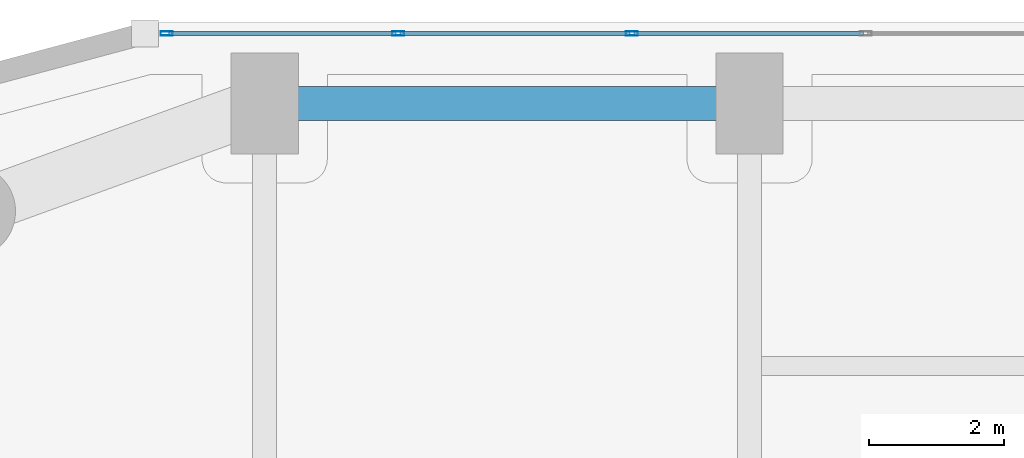
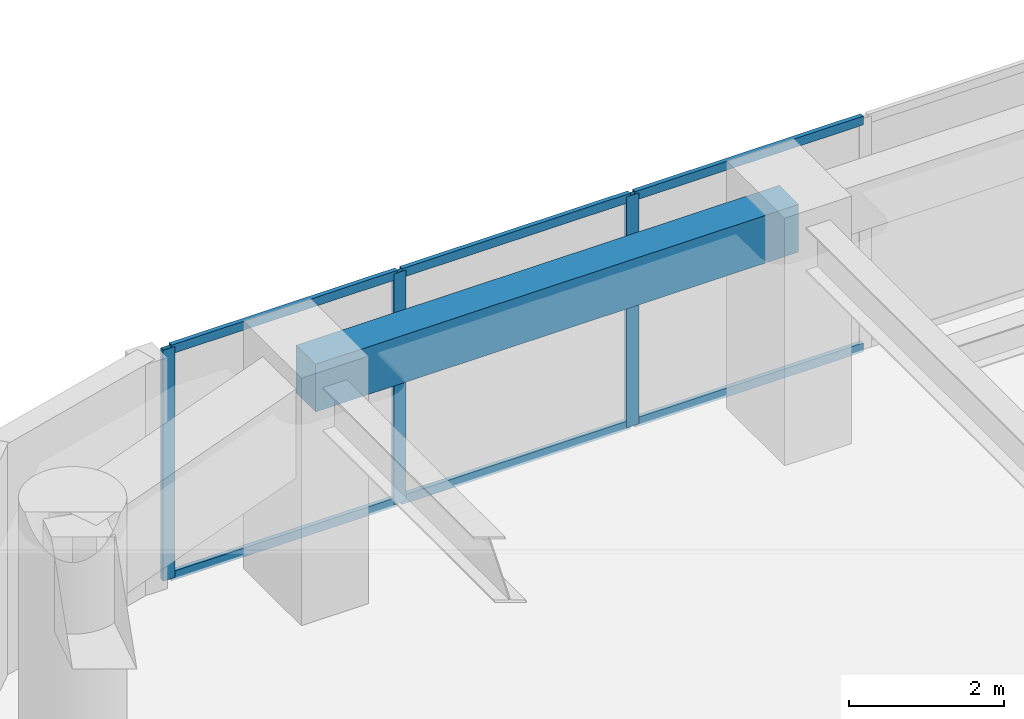
# One storey, part 16 of 29: 9 members, 1 beam, 1 element without a shape of its own.
"""IFC4 building model written with IfcOpenShell, lengths in metres."""

from ifc_helpers import new_model, si_unit, direction, frame, origin, origin_2d, place, context, subcontext, project, spatial, rectangle, hollow_rectangle, extrude, material, layer, layer_set, material_profile, profile_set, type_object, element, aggregate, save


model = new_model("IFC4")

# Units and contexts
model_context = context("Model", 3, precision=1e-05, world=origin(), true_north=direction((0.0, 1.0)))
body_context = subcontext(model_context, "Body", "Model", "MODEL_VIEW")
ifc_project = project(units=[si_unit("LENGTHUNIT", "METRE"), si_unit("AREAUNIT", "SQUARE_METRE"), si_unit("VOLUMEUNIT", "CUBIC_METRE"), si_unit("PLANEANGLEUNIT", "RADIAN"), si_unit("MASSUNIT", "GRAM", prefix="KILO")], contexts=[model_context])

# Site, building, storey
site_placement = place(None, origin())
site = spatial("IfcSite", under=ifc_project, at=site_placement, CompositionType="ELEMENT")
building_placement = place(site_placement, origin())
building = spatial("IfcBuilding", under=site, at=building_placement, Name="Kiyonajd Concourse Tower", CompositionType="ELEMENT")
storey_placement = place(building_placement, frame((0.0, 0.0, 29.39990234375)))
storey = spatial("IfcBuildingStorey", under=building, at=storey_placement, Name="L08", CompositionType="ELEMENT", Elevation=29.39990234375)

# Beam
ifc_material_1 = material(Name="Precast concrete C50/60", Category="concrete")
ifc_material_profile_1 = material_profile(ifc_material_1, rectangle(XDim=0.5, YDim=0.75, at=origin_2d()), Name="RCBM-500x750")
ifc_profile_set_1 = profile_set([ifc_material_profile_1], Name="Precast concrete C50/60")
beam_type = type_object("IfcBeamType", Name="BM-SPAN-RC", PredefinedType="SPANDREL", material=ifc_profile_set_1)
beam_placement = place(storey_placement, frame((32.39990234375, 61.199951171875, 3.26513671875), z_axis=(-1.0, 0.0, 0.0), x_axis=(0.0, -1.0, 0.0)))
element("IfcBeam", 1, at=beam_placement, inside=storey, type_object=beam_type, Name="L08 Perimeter Bundled Tube Spandrel", PredefinedType="SPANDREL", context=body_context, shape_type="SweptSolid", body=[
    extrude(rectangle(XDim=0.5, YDim=0.75, at=origin_2d()), origin(), (0.0, 0.0, 1.0), 7.199951171875),
])

# Curtain wall, members
ifc_material_2 = material(Name="Thermally Broken Anodised Aluminium", Category="aluminium")
ifc_layer = layer(ifc_material_2, 0.179931640625)
ifc_layer_set = layer_set([ifc_layer], Name="Thermally Broken Anodised Aluminium")
curtain_wall_type = type_object("IfcCurtainWallType", Name="CW-SYS-02", PredefinedType="NOTDEFINED", material=ifc_layer_set)
curtain_wall_placement = place(storey_placement, origin())
curtain_wall = element("IfcCurtainWall", 2, at=curtain_wall_placement, inside=storey, type_object=curtain_wall_type, Name="L08 Unitised Curtain Wall CW2", PredefinedType="NOTDEFINED")
ifc_material_profile_2 = material_profile(ifc_material_2, hollow_rectangle(XDim=0.06494140625, YDim=0.179931640625, WallThickness=0.00390625, at=origin_2d()), Name="MULL-65x180")
ifc_profile_set_2 = profile_set([ifc_material_profile_2], Name="Thermally Broken Anodised Aluminium")
member_type_1 = type_object("IfcMemberType", Name="MB-CW-MULL1", PredefinedType="MULLION", material=ifc_profile_set_2)
member_1_placement = place(storey_placement, frame((23.74365234375, 62.239990234375, 0.0), z_axis=(0.0, 0.0, 1.0), x_axis=(0.0, 1.0, 0.0)))
member_1 = element("IfcMember", 3, at=member_1_placement, type_object=member_type_1, Name="CW2 mullion 1", PredefinedType="MULLION", context=body_context, shape_type="SweptSolid", body=[
    extrude(hollow_rectangle(XDim=0.06494140625, YDim=0.179931640625, WallThickness=0.00390625, at=origin_2d()), origin(), (0.0, 0.0, 1.0), 3.64013671875),
])
member_2_placement = place(storey_placement, frame((27.181884765625, 62.239990234375, 0.0), z_axis=(0.0, 0.0, 1.0), x_axis=(0.0, 1.0, 0.0)))
member_2 = element("IfcMember", 4, at=member_2_placement, type_object=member_type_1, Name="CW2 mullion 2", PredefinedType="MULLION", context=body_context, shape_type="SweptSolid", body=[
    extrude(hollow_rectangle(XDim=0.06494140625, YDim=0.179931640625, WallThickness=0.00390625, at=origin_2d()), origin(), (0.0, 0.0, 1.0), 3.64013671875),
])
member_3_placement = place(storey_placement, frame((30.652587890625, 62.239990234375, 0.0), z_axis=(0.0, 0.0, 1.0), x_axis=(0.0, 1.0, 0.0)))
member_3 = element("IfcMember", 5, at=member_3_placement, type_object=member_type_1, Name="CW2 mullion 3", PredefinedType="MULLION", context=body_context, shape_type="SweptSolid", body=[
    extrude(hollow_rectangle(XDim=0.06494140625, YDim=0.179931640625, WallThickness=0.00390625, at=origin_2d()), origin(), (0.0, 0.0, 1.0), 3.64013671875),
])
ifc_material_profile_3 = material_profile(ifc_material_2, hollow_rectangle(XDim=0.06494140625, YDim=0.139892578125, WallThickness=0.00390625, at=origin_2d()), Name="TRAN-65x140")
ifc_profile_set_3 = profile_set([ifc_material_profile_3], Name="Thermally Broken Anodised Aluminium")
member_type_2 = type_object("IfcMemberType", Name="MB-CW-TRAN1", PredefinedType="USERDEFINED", material=ifc_profile_set_3)
member_4_placement = place(storey_placement, frame((23.776123046875, 62.239990234375, 0.03271484375), z_axis=(1.0, 0.0, 0.0), x_axis=(0.0, 1.0, 0.0)))
member_4 = element("IfcMember", 6, at=member_4_placement, type_object=member_type_2, Name="CW2 transom 1.1", ObjectType="TRANSOM", PredefinedType="USERDEFINED", context=body_context, shape_type="SweptSolid", body=[
    extrude(hollow_rectangle(XDim=0.06494140625, YDim=0.139892578125, WallThickness=0.00390625, at=origin_2d()), origin(), (0.0, 0.0, 1.0), 3.373291015625),
])
member_5_placement = place(storey_placement, frame((23.776123046875, 62.239990234375, 3.607666015625), z_axis=(1.0, 0.0, 0.0), x_axis=(0.0, 1.0, 0.0)))
member_5 = element("IfcMember", 7, at=member_5_placement, type_object=member_type_2, Name="CW2 transom 1.2", ObjectType="TRANSOM", PredefinedType="USERDEFINED", context=body_context, shape_type="SweptSolid", body=[
    extrude(hollow_rectangle(XDim=0.06494140625, YDim=0.139892578125, WallThickness=0.00390625, at=origin_2d()), origin(), (0.0, 0.0, 1.0), 3.373291015625),
])
member_6_placement = place(storey_placement, frame((27.21435546875, 62.239990234375, 0.03271484375), z_axis=(1.0, 0.0, 0.0), x_axis=(0.0, 1.0, 0.0)))
member_6 = element("IfcMember", 8, at=member_6_placement, type_object=member_type_2, Name="CW2 transom 2.1", ObjectType="TRANSOM", PredefinedType="USERDEFINED", context=body_context, shape_type="SweptSolid", body=[
    extrude(hollow_rectangle(XDim=0.06494140625, YDim=0.139892578125, WallThickness=0.00390625, at=origin_2d()), origin(), (0.0, 0.0, 1.0), 3.40576171875),
])
member_7_placement = place(storey_placement, frame((27.21435546875, 62.239990234375, 3.607666015625), z_axis=(1.0, 0.0, 0.0), x_axis=(0.0, 1.0, 0.0)))
member_7 = element("IfcMember", 9, at=member_7_placement, type_object=member_type_2, Name="CW2 transom 2.2", ObjectType="TRANSOM", PredefinedType="USERDEFINED", context=body_context, shape_type="SweptSolid", body=[
    extrude(hollow_rectangle(XDim=0.06494140625, YDim=0.139892578125, WallThickness=0.00390625, at=origin_2d()), origin(), (0.0, 0.0, 1.0), 3.40576171875),
])
member_8_placement = place(storey_placement, frame((30.68505859375, 62.239990234375, 0.03271484375), z_axis=(1.0, 0.0, 0.0), x_axis=(0.0, 1.0, 0.0)))
member_8 = element("IfcMember", 10, at=member_8_placement, type_object=member_type_2, Name="CW2 transom 3.1", ObjectType="TRANSOM", PredefinedType="USERDEFINED", context=body_context, shape_type="SweptSolid", body=[
    extrude(hollow_rectangle(XDim=0.06494140625, YDim=0.139892578125, WallThickness=0.00390625, at=origin_2d()), origin(), (0.0, 0.0, 1.0), 3.40576171875),
])
member_9_placement = place(storey_placement, frame((30.68505859375, 62.239990234375, 3.607666015625), z_axis=(1.0, 0.0, 0.0), x_axis=(0.0, 1.0, 0.0)))
member_9 = element("IfcMember", 11, at=member_9_placement, type_object=member_type_2, Name="CW2 transom 3.2", ObjectType="TRANSOM", PredefinedType="USERDEFINED", context=body_context, shape_type="SweptSolid", body=[
    extrude(hollow_rectangle(XDim=0.06494140625, YDim=0.139892578125, WallThickness=0.00390625, at=origin_2d()), origin(), (0.0, 0.0, 1.0), 3.40576171875),
])
aggregate(curtain_wall, [member_1, member_2, member_3, member_4, member_5, member_6, member_7, member_8, member_9])

save(model, "model.ifc")
